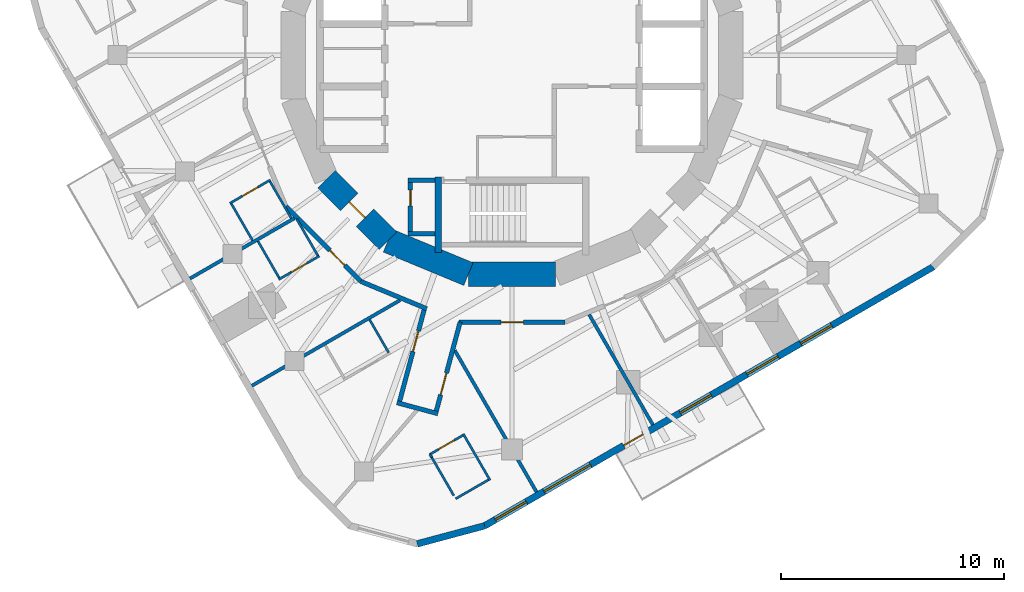
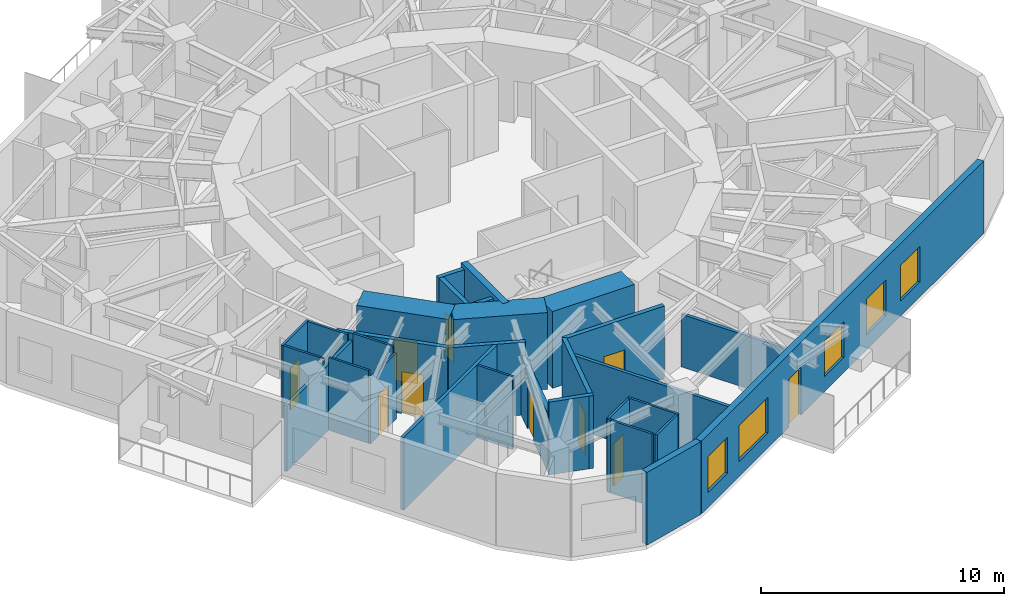
# One storey, part 4 of 11: 31 walls, 10 doors, 5 windows, 15 openings.
"""IFC4 building model written with IfcOpenShell, lengths in metres."""

from ifc_helpers import new_model, si_unit, direction, frame, frame_2d, origin, place, context, subcontext, project, spatial, rectangle, extrude, material, layer, layer_set, type_object, element, fill, save


model = new_model("IFC4")

# Units and contexts
model_context = context("Model", 3, precision=1e-05, world=origin(), true_north=direction((0.0, 1.0)))
body_context = subcontext(model_context, "Body", "Model", "MODEL_VIEW")
ifc_project = project(units=[si_unit("LENGTHUNIT", "METRE"), si_unit("AREAUNIT", "SQUARE_METRE"), si_unit("VOLUMEUNIT", "CUBIC_METRE"), si_unit("PLANEANGLEUNIT", "RADIAN"), si_unit("MASSUNIT", "GRAM", prefix="KILO")], contexts=[model_context])

# Site, building, storey
site_placement = place(None, origin())
site = spatial("IfcSite", under=ifc_project, at=site_placement, CompositionType="ELEMENT")
building_placement = place(site_placement, origin())
building = spatial("IfcBuilding", under=site, at=building_placement, Name="Nakasero Lantern House", CompositionType="ELEMENT")
storey_placement = place(building_placement, frame((0.0, 0.0, 234.64990234375)))
storey = spatial("IfcBuildingStorey", under=building, at=storey_placement, Name="L57", CompositionType="ELEMENT", Elevation=234.64990234375)

# Wall
ifc_material_1 = material(Name="Concrete C50/60", Category="concrete")
ifc_layer_1 = layer(ifc_material_1, 0.300048828125)
ifc_layer_set_1 = layer_set([ifc_layer_1], Name="Core inner wall 300")
wall_type_1 = type_object("IfcWallType", Name="Core inner wall 300", PredefinedType="SHEAR", material=ifc_layer_set_1)
wall_1_placement = place(storey_placement, frame((-3.300048828125, -5.449951171875, 0.0), z_axis=(0.0, 0.0, 1.0), x_axis=(0.0, -1.0, 0.0)))
element("IfcWall", 1, at=wall_1_placement, inside=storey, type_object=wall_type_1, Name="Core inner wall L57 SSW", PredefinedType="SHEAR", context=body_context, shape_type="SweptSolid", body=[
    extrude(rectangle(XDim=3.400146484375, YDim=0.300048828125, at=frame_2d((1.7001953125, 0.0))), origin(), (0.0, 0.0, 1.0), 3.85009765625),
])

# Wall, opening, door
ifc_material_2 = material(Name="Concrete C50/60", Category="concrete")
ifc_layer_2 = layer(ifc_material_2, 1.10009765625)
ifc_layer_set_2 = layer_set([ifc_layer_2], Name="Core wall 1100")
wall_type_2 = type_object("IfcWallType", Name="Core wall 1100", PredefinedType="SHEAR", material=ifc_layer_set_2)
wall_2_placement = place(storey_placement, frame((-8.314697265625, -5.5556640625, 0.0), z_axis=(0.0, 0.0, 1.0), x_axis=(0.707106781187, -0.707106781187, 0.0)))
wall_2 = element("IfcWall", 2, at=wall_2_placement, inside=storey, type_object=wall_type_2, Name="Core wall L57 facet 10", PredefinedType="SHEAR", context=body_context, shape_type="SweptSolid", body=[
    extrude(rectangle(XDim=3.90185546875, YDim=1.10009765625, at=frame_2d((1.950927734375, 0.0))), origin(), (0.0, 0.0, 1.0), 3.85009765625),
])
opening_1_placement = place(wall_2_placement, frame((1.450927734375, 0.0, 0.0)))
opening_1 = element("IfcOpeningElement", 3, at=opening_1_placement, cuts=wall_2, Name="Opening D05", PredefinedType="OPENING", context=body_context, shape_type="SweptSolid", body=[
    extrude(rectangle(XDim=1.0, YDim=2.10009765625, at=frame_2d((0.5, 1.050048828125))), frame((0.0, 0.570068359375, 0.0), z_axis=(0.0, -1.0, 0.0), x_axis=(1.0, 0.0, 0.0)), (0.0, 0.0, 1.0), 1.14013671875),
])
ifc_material_3 = material(Name="Timber C24", Category="wood")
door_type_1 = type_object("IfcDoorType", Name="Core door FD60S 1000", OperationType="SINGLE_SWING_LEFT", PredefinedType="DOOR", material=ifc_material_3)
door_1_placement = place(opening_1_placement, origin())
door_1 = element("IfcDoor", 4, at=door_1_placement, inside=storey, type_object=door_type_1, Name="Door L57 D-CORE10", OperationType="SINGLE_SWING_LEFT", OverallHeight=2.10009765625, OverallWidth=1.0, PredefinedType="DOOR", context=body_context, shape_type="SweptSolid", body=[
    extrude(rectangle(XDim=1.0, YDim=2.10009765625, at=frame_2d((0.5, 1.050048828125))), frame((0.0, 0.02490234375, 0.0), z_axis=(0.0, -1.0, 0.0), x_axis=(1.0, 0.0, 0.0)), (0.0, 0.0, 1.0), 0.050048828125),
])
fill(opening_1, door_1)

# Walls
for number, where, z_axis, x_axis, name in (
    (5, (-5.5556640625, -8.314697265625, 0.0), (0.0, 0.0, 1.0), (0.923876507187, -0.382690736062, 0.0), "Core wall L57 facet 11"),
    (6, (-1.950927734375, -9.807861328125, 0.0), (0.0, 0.0, 1.0), (1.0, 0.0, 0.0), "Core wall L57 facet 12"),
):
    element("IfcWall", number, at=place(storey_placement, frame(where, z_axis=z_axis, x_axis=x_axis)), inside=storey, type_object=wall_type_2, Name=name, PredefinedType="SHEAR", context=body_context, shape_type="SweptSolid", body=[
        extrude(rectangle(XDim=3.90185546875, YDim=1.10009765625, at=frame_2d((1.950927734375, 0.0))), origin(), (0.0, 0.0, 1.0), 3.85009765625),
    ])

# Wall, opening, door
ifc_material_4 = material(Name="Blockwork", Category="masonry")
ifc_layer_3 = layer(ifc_material_4, 0.199951171875)
ifc_layer_set_3 = layer_set([ifc_layer_3], Name="Corridor wall 200")
wall_type_3 = type_object("IfcWallType", Name="Corridor wall 200", PredefinedType="PARTITIONING", material=ifc_layer_set_3)
wall_3_placement = place(storey_placement, frame((2.378662109375, -11.957763671875, 0.0), z_axis=(0.0, 0.0, 1.0), x_axis=(-1.0, 0.0, 0.0)))
wall_3 = element("IfcWall", 7, at=wall_3_placement, inside=storey, type_object=wall_type_3, Name="Corridor wall L57 RC04a", PredefinedType="PARTITIONING", context=body_context, shape_type="SweptSolid", body=[
    extrude(rectangle(XDim=4.75732421875, YDim=0.199951171875, at=frame_2d((2.378662109375, 0.0))), origin(), (0.0, 0.0, 1.0), 3.650146484375),
])
opening_2_placement = place(wall_3_placement, frame((1.8701171875, 0.0, 0.0)))
opening_2 = element("IfcOpeningElement", 8, at=opening_2_placement, cuts=wall_3, Name="Opening D03", PredefinedType="OPENING", context=body_context, shape_type="SweptSolid", body=[
    extrude(rectangle(XDim=1.0, YDim=2.10009765625, at=frame_2d((0.5, 1.050048828125))), frame((0.0, 0.119873046875, 0.0), z_axis=(0.0, -1.0, 0.0), x_axis=(1.0, 0.0, 0.0)), (0.0, 0.0, 1.0), 0.239990234375),
])
ifc_material_5 = material(Name="Timber C24", Category="wood")
door_type_2 = type_object("IfcDoorType", Name="Lounge door FD30S 1000", OperationType="SINGLE_SWING_LEFT", PredefinedType="DOOR", material=ifc_material_5)
door_2_placement = place(opening_2_placement, origin())
door_2 = element("IfcDoor", 9, at=door_2_placement, inside=storey, type_object=door_type_2, Name="Door L57 DK3", OperationType="SINGLE_SWING_LEFT", OverallHeight=2.10009765625, OverallWidth=1.0, PredefinedType="DOOR", context=body_context, shape_type="SweptSolid", body=[
    extrude(rectangle(XDim=1.0, YDim=2.10009765625, at=frame_2d((0.5, 1.050048828125))), frame((0.0, 0.02490234375, 0.0), z_axis=(0.0, -1.0, 0.0), x_axis=(1.0, 0.0, 0.0)), (0.0, 0.0, 1.0), 0.050048828125),
])
fill(opening_2, door_2)

# Wall
wall_4_placement = place(storey_placement, frame((-3.820556640625, -11.360595703125, 0.0), z_axis=(0.0, 0.0, 1.0), x_axis=(-0.923888369431, 0.382662097458, 0.0)))
element("IfcWall", 10, at=wall_4_placement, inside=storey, type_object=wall_type_3, Name="Corridor wall L57 RC05b", PredefinedType="PARTITIONING", context=body_context, shape_type="SweptSolid", body=[
    extrude(rectangle(XDim=3.1962890625, YDim=0.199951171875, at=frame_2d((1.59814453125, 0.0))), origin(), (0.0, 0.0, 1.0), 3.650146484375),
])

# Wall, opening, door
wall_5_placement = place(storey_placement, frame((-6.773681640625, -10.137451171875, 0.0), z_axis=(0.0, 0.0, 1.0), x_axis=(-0.707106781187, 0.707106781187, 0.0)))
wall_5 = element("IfcWall", 11, at=wall_5_placement, inside=storey, type_object=wall_type_3, Name="Corridor wall L57 RC06a", PredefinedType="PARTITIONING", context=body_context, shape_type="SweptSolid", body=[
    extrude(rectangle(XDim=4.757080078125, YDim=0.199951171875, at=frame_2d((2.37841796875, 0.0))), origin(), (0.0, 0.0, 1.0), 3.650146484375),
])
opening_3_placement = place(wall_5_placement, frame((1.02001953125, 0.0, 0.0)))
opening_3 = element("IfcOpeningElement", 12, at=opening_3_placement, cuts=wall_5, Name="Opening D01", PredefinedType="OPENING", context=body_context, shape_type="SweptSolid", body=[
    extrude(rectangle(XDim=0.949951171875, YDim=2.10009765625, at=frame_2d((0.47509765625, 1.050048828125))), frame((0.0, 0.119873046875, 0.0), z_axis=(0.0, -1.0, 0.0), x_axis=(1.0, 0.0, 0.0)), (0.0, 0.0, 1.0), 0.239990234375),
])
ifc_material_6 = material(Name="Timber C24", Category="wood")
door_type_3 = type_object("IfcDoorType", Name="Bedroom door FD30S 950", OperationType="SINGLE_SWING_LEFT", PredefinedType="DOOR", material=ifc_material_6)
door_3_placement = place(opening_3_placement, origin())
door_3 = element("IfcDoor", 13, at=door_3_placement, inside=storey, type_object=door_type_3, Name="Door L57 D2-04", OperationType="SINGLE_SWING_LEFT", OverallHeight=2.10009765625, OverallWidth=0.949951171875, PredefinedType="DOOR", context=body_context, shape_type="SweptSolid", body=[
    extrude(rectangle(XDim=0.949951171875, YDim=2.10009765625, at=frame_2d((0.47509765625, 1.050048828125))), frame((0.0, 0.02490234375, 0.0), z_axis=(0.0, -1.0, 0.0), x_axis=(1.0, 0.0, 0.0)), (0.0, 0.0, 1.0), 0.050048828125),
])
fill(opening_3, door_3)

wall_6_placement = place(storey_placement, frame((-3.913818359375, -11.322021484375, 0.0), z_axis=(0.0, 0.0, 1.0), x_axis=(-0.258777439659, -0.965936973474, 0.0)))
wall_6 = element("IfcWall", 14, at=wall_6_placement, inside=storey, type_object=wall_type_3, Name="Corridor wall L57 SP2a", PredefinedType="PARTITIONING", context=body_context, shape_type="SweptSolid", body=[
    extrude(rectangle(XDim=4.524658203125, YDim=0.199951171875, at=frame_2d((2.26220703125, 0.0))), origin(), (0.0, 0.0, 1.0), 2.957275390625),
])
opening_4_placement = place(wall_6_placement, frame((1.070068359375, 0.0, 0.0)))
opening_4 = element("IfcOpeningElement", 15, at=opening_4_placement, cuts=wall_6, Name="Opening D01", PredefinedType="OPENING", context=body_context, shape_type="SweptSolid", body=[
    extrude(rectangle(XDim=0.949951171875, YDim=2.10009765625, at=frame_2d((0.47509765625, 1.050048828125))), frame((0.0, 0.119873046875, 0.0), z_axis=(0.0, -1.0, 0.0), x_axis=(1.0, 0.0, 0.0)), (0.0, 0.0, 1.0), 0.239990234375),
])
door_4_placement = place(opening_4_placement, origin())
door_4 = element("IfcDoor", 16, at=door_4_placement, inside=storey, type_object=door_type_3, Name="Door L57 D2-06", OperationType="SINGLE_SWING_LEFT", OverallHeight=2.10009765625, OverallWidth=0.949951171875, PredefinedType="DOOR", context=body_context, shape_type="SweptSolid", body=[
    extrude(rectangle(XDim=0.949951171875, YDim=2.10009765625, at=frame_2d((0.47509765625, 1.050048828125))), frame((0.0, 0.02490234375, 0.0), z_axis=(0.0, -1.0, 0.0), x_axis=(1.0, 0.0, 0.0)), (0.0, 0.0, 1.0), 0.050048828125),
])
fill(opening_4, door_4)

wall_7_placement = place(storey_placement, frame((-2.32421875, -11.957763671875, 0.0), z_axis=(0.0, 0.0, 1.0), x_axis=(-0.258769967576, -0.965938975236, 0.0)))
wall_7 = element("IfcWall", 17, at=wall_7_placement, inside=storey, type_object=wall_type_3, Name="Corridor wall L57 SP2b", PredefinedType="PARTITIONING", context=body_context, shape_type="SweptSolid", body=[
    extrude(rectangle(XDim=4.322021484375, YDim=0.199951171875, at=frame_2d((2.1611328125, 0.0))), origin(), (0.0, 0.0, 1.0), 3.650146484375),
])
opening_5_placement = place(wall_7_placement, frame((2.3701171875, 0.0, 0.0)))
opening_5 = element("IfcOpeningElement", 18, at=opening_5_placement, cuts=wall_7, Name="Opening D07", PredefinedType="OPENING", context=body_context, shape_type="SweptSolid", body=[
    extrude(rectangle(XDim=1.0, YDim=2.10009765625, at=frame_2d((0.5, 1.050048828125))), frame((0.0, 0.119873046875, 0.0), z_axis=(0.0, -1.0, 0.0), x_axis=(1.0, 0.0, 0.0)), (0.0, 0.0, 1.0), 0.239990234375),
])
ifc_material_7 = material(Name="Timber C24", Category="wood")
door_type_4 = type_object("IfcDoorType", Name="Room door FD30S 1000", OperationType="SINGLE_SWING_LEFT", PredefinedType="DOOR", material=ifc_material_7)
door_5_placement = place(opening_5_placement, origin())
door_5 = element("IfcDoor", 19, at=door_5_placement, inside=storey, type_object=door_type_4, Name="Door L57 D3-00", OperationType="SINGLE_SWING_RIGHT", OverallHeight=2.10009765625, OverallWidth=1.0, PredefinedType="DOOR", context=body_context, shape_type="SweptSolid", body=[
    extrude(rectangle(XDim=1.0, YDim=2.10009765625, at=frame_2d((0.5, 1.050048828125))), frame((0.0, 0.02490234375, 0.0), z_axis=(0.0, -1.0, 0.0), x_axis=(1.0, 0.0, 0.0)), (0.0, 0.0, 1.0), 0.050048828125),
])
fill(opening_5, door_5)

# Wall
wall_8_placement = place(storey_placement, frame((-5.155517578125, -15.570068359375, 0.0), z_axis=(0.0, 0.0, 1.0), x_axis=(0.96593141835, -0.258798174346, 0.0)))
element("IfcWall", 20, at=wall_8_placement, inside=storey, type_object=wall_type_3, Name="Corridor wall L57 SP2e", PredefinedType="PARTITIONING", context=body_context, shape_type="SweptSolid", body=[
    extrude(rectangle(XDim=1.89990234375, YDim=0.199951171875, at=frame_2d((0.949951171875, 0.0))), origin(), (0.0, 0.0, 1.0), 3.650146484375),
])

# Wall, opening, door
ifc_material_8 = material(Name="Blockwork", Category="masonry")
ifc_layer_4 = layer(ifc_material_8, 0.10009765625)
ifc_layer_set_4 = layer_set([ifc_layer_4], Name="En-suite wall 100")
wall_type_4 = type_object("IfcWallType", Name="En-suite wall 100", PredefinedType="PARTITIONING", material=ifc_layer_set_4)
wall_9_placement = place(storey_placement, frame((-10.82470703125, -5.586669921875, 0.0), z_axis=(0.0, 0.0, 1.0), x_axis=(-0.866009402589, -0.500027713859, 0.0)))
wall_9 = element("IfcWall", 21, at=wall_9_placement, inside=storey, type_object=wall_type_4, Name="En-suite wall L57 ES2-03", PredefinedType="PARTITIONING", context=body_context, shape_type="SweptSolid", body=[
    extrude(rectangle(XDim=2.10009765625, YDim=0.10009765625, at=frame_2d((1.050048828125, 0.0))), origin(), (0.0, 0.0, 1.0), 3.650146484375),
])
opening_6_placement = place(wall_9_placement, frame((0.64990234375, 0.0, 0.0)))
opening_6 = element("IfcOpeningElement", 22, at=opening_6_placement, cuts=wall_9, Name="Opening D02", PredefinedType="OPENING", context=body_context, shape_type="SweptSolid", body=[
    extrude(rectangle(XDim=0.800048828125, YDim=2.10009765625, at=frame_2d((0.39990234375, 1.050048828125))), frame((0.0, 0.070068359375, 0.0), z_axis=(0.0, -1.0, 0.0), x_axis=(1.0, 0.0, 0.0)), (0.0, 0.0, 1.0), 0.14013671875),
])
ifc_material_9 = material(Name="Timber C24", Category="wood")
door_type_5 = type_object("IfcDoorType", Name="En-suite door 800", OperationType="SINGLE_SWING_RIGHT", PredefinedType="DOOR", material=ifc_material_9)
door_6_placement = place(opening_6_placement, origin())
door_6 = element("IfcDoor", 23, at=door_6_placement, inside=storey, type_object=door_type_5, Name="Door L57 DE2-03", OperationType="SINGLE_SWING_RIGHT", OverallHeight=2.10009765625, OverallWidth=0.800048828125, PredefinedType="DOOR", context=body_context, shape_type="SweptSolid", body=[
    extrude(rectangle(XDim=0.800048828125, YDim=2.10009765625, at=frame_2d((0.39990234375, 1.050048828125))), frame((0.0, 0.02490234375, 0.0), z_axis=(0.0, -1.0, 0.0), x_axis=(1.0, 0.0, 0.0)), (0.0, 0.0, 1.0), 0.050048828125),
])
fill(opening_6, door_6)

# Walls
for number, where, z_axis, x_axis, name in (
    (24, (-12.574951171875, -6.655029296875, 0.0), (0.0, 0.0, 1.0), (0.499967155389, -0.866044365799, 0.0), "En-suite wall L57 EE2-03"),
    (25, (-10.843017578125, -5.655029296875, 0.0), (0.0, 0.0, 1.0), (0.499967155389, -0.866044365799, 0.0), "En-suite wall L57 EI2-03"),
):
    element("IfcWall", number, at=place(storey_placement, frame(where, z_axis=z_axis, x_axis=x_axis)), inside=storey, type_object=wall_type_4, Name=name, PredefinedType="PARTITIONING", context=body_context, shape_type="SweptSolid", body=[
        extrude(rectangle(XDim=1.900146484375, YDim=0.10009765625, at=frame_2d((0.9501953125, 0.0))), origin(), (0.0, 0.0, 1.0), 3.650146484375),
    ])

# Wall, opening, door
wall_10_placement = place(storey_placement, frame((-8.632080078125, -8.997314453125, 0.0), z_axis=(0.0, 0.0, 1.0), x_axis=(-0.866038466041, -0.499977374825, 0.0)))
wall_10 = element("IfcWall", 26, at=wall_10_placement, inside=storey, type_object=wall_type_4, Name="En-suite wall L57 ES2-04", PredefinedType="PARTITIONING", context=body_context, shape_type="SweptSolid", body=[
    extrude(rectangle(XDim=2.10009765625, YDim=0.10009765625, at=frame_2d((1.050048828125, 0.0))), origin(), (0.0, 0.0, 1.0), 3.295166015625),
])
opening_7_placement = place(wall_10_placement, frame((0.64990234375, 0.0, 0.0)))
opening_7 = element("IfcOpeningElement", 27, at=opening_7_placement, cuts=wall_10, Name="Opening D02", PredefinedType="OPENING", context=body_context, shape_type="SweptSolid", body=[
    extrude(rectangle(XDim=0.800048828125, YDim=2.10009765625, at=frame_2d((0.39990234375, 1.050048828125))), frame((0.0, 0.070068359375, 0.0), z_axis=(0.0, -1.0, 0.0), x_axis=(1.0, 0.0, 0.0)), (0.0, 0.0, 1.0), 0.14013671875),
])
door_7_placement = place(opening_7_placement, origin())
door_7 = element("IfcDoor", 28, at=door_7_placement, inside=storey, type_object=door_type_5, Name="Door L57 DE2-04", OperationType="SINGLE_SWING_RIGHT", OverallHeight=2.10009765625, OverallWidth=0.800048828125, PredefinedType="DOOR", context=body_context, shape_type="SweptSolid", body=[
    extrude(rectangle(XDim=0.800048828125, YDim=2.10009765625, at=frame_2d((0.39990234375, 1.050048828125))), frame((0.0, 0.02490234375, 0.0), z_axis=(0.0, -1.0, 0.0), x_axis=(1.0, 0.0, 0.0)), (0.0, 0.0, 1.0), 0.050048828125),
])
fill(opening_7, door_7)

# Walls
for number, where, z_axis, x_axis, name in (
    (29, (-11.382568359375, -8.333740234375, 0.0), (0.0, 0.0, 1.0), (0.500022797313, -0.86601224135, 0.0), "En-suite wall L57 EE2-04"),
    (30, (-9.650390625, -7.333740234375, 0.0), (0.0, 0.0, 1.0), (0.500022797313, -0.86601224135, 0.0), "En-suite wall L57 EI2-04"),
):
    element("IfcWall", number, at=place(storey_placement, frame(where, z_axis=z_axis, x_axis=x_axis)), inside=storey, type_object=wall_type_4, Name=name, PredefinedType="PARTITIONING", context=body_context, shape_type="SweptSolid", body=[
        extrude(rectangle(XDim=1.89990234375, YDim=0.10009765625, at=frame_2d((0.949951171875, 0.0))), origin(), (0.0, 0.0, 1.0), 3.650146484375),
    ])
wall_11_placement = place(storey_placement, frame((-6.37890625, -11.8515625, 0.0), z_axis=(0.0, 0.0, 1.0), x_axis=(0.500062241894, -0.865989465428, 0.0)))
element("IfcWall", 31, at=wall_11_placement, inside=storey, type_object=wall_type_4, Name="En-suite wall L57 EI2-06", PredefinedType="PARTITIONING", context=body_context, shape_type="SweptSolid", body=[
    extrude(rectangle(XDim=1.699951171875, YDim=0.10009765625, at=frame_2d((0.85009765625, 0.0))), origin(), (0.0, 0.0, 1.0), 3.650146484375),
])
wall_12_placement = place(storey_placement, frame((-2.18505859375, -16.96533203125, 0.0), z_axis=(0.0, 0.0, 1.0), x_axis=(0.499957262057, -0.866050077142, 0.0)))
element("IfcWall", 32, at=wall_12_placement, inside=storey, type_object=wall_type_4, Name="En-suite wall L57 ES3-00", PredefinedType="PARTITIONING", context=body_context, shape_type="SweptSolid", body=[
    extrude(rectangle(XDim=2.400146484375, YDim=0.10009765625, at=frame_2d((1.2001953125, 0.0))), origin(), (0.0, 0.0, 1.0), 3.650146484375),
])
wall_13_placement = place(storey_placement, frame((-2.525634765625, -19.87548828125, 0.0), z_axis=(0.0, 0.0, 1.0), x_axis=(0.866087547558, 0.499892348375, 0.0)))
element("IfcWall", 33, at=wall_13_placement, inside=storey, type_object=wall_type_4, Name="En-suite wall L57 EE3-00", PredefinedType="PARTITIONING", context=body_context, shape_type="SweptSolid", body=[
    extrude(rectangle(XDim=1.699951171875, YDim=0.10009765625, at=frame_2d((0.85009765625, 0.0))), origin(), (0.0, 0.0, 1.0), 3.650146484375),
])

# Wall, opening, door
wall_14_placement = place(storey_placement, frame((-3.675537109375, -17.8837890625, 0.0), z_axis=(0.0, 0.0, 1.0), x_axis=(0.865989465428, 0.500062241894, 0.0)))
wall_14 = element("IfcWall", 34, at=wall_14_placement, inside=storey, type_object=wall_type_4, Name="En-suite wall L57 EI3-00", PredefinedType="PARTITIONING", context=body_context, shape_type="SweptSolid", body=[
    extrude(rectangle(XDim=1.699951171875, YDim=0.10009765625, at=frame_2d((0.85009765625, 0.0))), origin(), (0.0, 0.0, 1.0), 3.650146484375),
])
opening_8_placement = place(wall_14_placement, frame((0.449951171875, 0.0, 0.0)))
opening_8 = element("IfcOpeningElement", 35, at=opening_8_placement, cuts=wall_14, Name="Opening D15", PredefinedType="OPENING", context=body_context, shape_type="SweptSolid", body=[
    extrude(rectangle(XDim=0.800048828125, YDim=2.10009765625, at=frame_2d((0.39990234375, 1.050048828125))), frame((0.0, 0.070068359375, 0.0), z_axis=(0.0, -1.0, 0.0), x_axis=(1.0, 0.0, 0.0)), (0.0, 0.0, 1.0), 0.14013671875),
])
ifc_material_10 = material(Name="Timber C24", Category="wood")
door_type_6 = type_object("IfcDoorType", Name="Cleaner's store door FD30S 800", OperationType="SINGLE_SWING_LEFT", PredefinedType="DOOR", material=ifc_material_10)
door_8_placement = place(opening_8_placement, origin())
door_8 = element("IfcDoor", 36, at=door_8_placement, inside=storey, type_object=door_type_6, Name="Door L57 DE3-00", OperationType="SINGLE_SWING_RIGHT", OverallHeight=2.10009765625, OverallWidth=0.800048828125, PredefinedType="DOOR", context=body_context, shape_type="SweptSolid", body=[
    extrude(rectangle(XDim=0.800048828125, YDim=2.10009765625, at=frame_2d((0.39990234375, 1.050048828125))), frame((0.0, 0.02490234375, 0.0), z_axis=(0.0, -1.0, 0.0), x_axis=(1.0, 0.0, 0.0)), (0.0, 0.0, 1.0), 0.050048828125),
])
fill(opening_8, door_8)

# Walls
wall_15_placement = place(storey_placement, frame((-3.595458984375, -18.022216796875, 0.0), z_axis=(0.0, 0.0, 1.0), x_axis=(0.499971491109, -0.866041862775, 0.0)))
element("IfcWall", 37, at=wall_15_placement, inside=storey, type_object=wall_type_4, Name="En-suite wall L57 EX003", PredefinedType="PARTITIONING", context=body_context, shape_type="SweptSolid", body=[
    extrude(rectangle(XDim=1.97998046875, YDim=0.10009765625, at=frame_2d((0.989990234375, 0.0))), origin(), (0.0, 0.0, 1.0), 3.650146484375),
])
wall_16_placement = place(storey_placement, frame((-3.675537109375, -17.8837890625, 0.0), z_axis=(0.0, 0.0, 1.0), x_axis=(0.500735348028, -0.865600433939, 0.0)))
element("IfcWall", 38, at=wall_16_placement, inside=storey, type_object=wall_type_4, Name="En-suite wall L57 EI3-00R0", PredefinedType="PARTITIONING", context=body_context, shape_type="SweptSolid", body=[
    extrude(rectangle(XDim=0.159912109375, YDim=0.10009765625, at=frame_2d((0.080078125, 0.0))), origin(), (0.0, 0.0, 1.0), 3.650146484375),
])
ifc_material_11 = material(Name="Aluminium rainscreen on blockwork", Category="masonry")
ifc_layer_5 = layer(ifc_material_11, 0.300048828125)
ifc_layer_set_5 = layer_set([ifc_layer_5], Name="Facade wall 300")
wall_type_5 = type_object("IfcWallType", Name="Facade wall 300", PredefinedType="SOLIDWALL", material=ifc_layer_set_5)
wall_17_placement = place(storey_placement, frame((-4.245849609375, -21.89599609375, 0.0), z_axis=(0.0, 0.0, 1.0), x_axis=(0.96592369199, 0.258827010283, 0.0)))
element("IfcWall", 39, at=wall_17_placement, inside=storey, type_object=wall_type_5, Name="Facade wall L57 FW2C3", PredefinedType="SOLIDWALL", context=body_context, shape_type="SweptSolid", body=[
    extrude(rectangle(XDim=3.131591796875, YDim=0.300048828125, at=frame_2d((1.56591796875, 0.0))), origin(), (0.0, 0.0, 1.0), 3.650146484375),
])

# Wall, openings, door, windows
wall_18_placement = place(storey_placement, frame((-1.220947265625, -21.08544921875, 0.0), z_axis=(0.0, 0.0, 1.0), x_axis=(0.86602366199, 0.500003016864, 0.0)))
wall_18 = element("IfcWall", 40, at=wall_18_placement, inside=storey, type_object=wall_type_5, Name="Facade wall L57 FW3S", PredefinedType="SOLIDWALL", context=body_context, shape_type="SweptSolid", body=[
    extrude(rectangle(XDim=23.199951171875, YDim=0.300048828125, at=frame_2d((11.60009765625, 0.0))), origin(), (0.0, 0.0, 1.0), 3.650146484375),
])
opening_9_placement = place(wall_18_placement, frame((0.5458984375, 0.0, 0.75)))
opening_9 = element("IfcOpeningElement", 41, at=opening_9_placement, cuts=wall_18, Name="Opening W01", PredefinedType="OPENING", context=body_context, shape_type="SweptSolid", body=[
    extrude(rectangle(XDim=1.60009765625, YDim=1.800048828125, at=frame_2d((0.800048828125, 0.89990234375))), frame((0.0, 0.169921875, 0.0), z_axis=(0.0, -1.0, 0.0), x_axis=(1.0, 0.0, 0.0)), (0.0, 0.0, 1.0), 0.340087890625),
])
opening_10_placement = place(wall_18_placement, frame((10.11767578125, 0.0, 0.75)))
opening_10 = element("IfcOpeningElement", 42, at=opening_10_placement, cuts=wall_18, Name="Opening W01", PredefinedType="OPENING", context=body_context, shape_type="SweptSolid", body=[
    extrude(rectangle(XDim=1.60009765625, YDim=1.800048828125, at=frame_2d((0.800048828125, 0.89990234375))), frame((0.0, 0.169921875, 0.0), z_axis=(0.0, -1.0, 0.0), x_axis=(1.0, 0.0, 0.0)), (0.0, 0.0, 1.0), 0.340087890625),
])
opening_11_placement = place(wall_18_placement, frame((13.5751953125, 0.0, 0.75)))
opening_11 = element("IfcOpeningElement", 43, at=opening_11_placement, cuts=wall_18, Name="Opening W01", PredefinedType="OPENING", context=body_context, shape_type="SweptSolid", body=[
    extrude(rectangle(XDim=1.60009765625, YDim=1.800048828125, at=frame_2d((0.800048828125, 0.89990234375))), frame((0.0, 0.169921875, 0.0), z_axis=(0.0, -1.0, 0.0), x_axis=(1.0, 0.0, 0.0)), (0.0, 0.0, 1.0), 0.340087890625),
])
opening_12_placement = place(wall_18_placement, frame((16.349609375, 0.0, 0.75)))
opening_12 = element("IfcOpeningElement", 44, at=opening_12_placement, cuts=wall_18, Name="Opening W01", PredefinedType="OPENING", context=body_context, shape_type="SweptSolid", body=[
    extrude(rectangle(XDim=1.60009765625, YDim=1.800048828125, at=frame_2d((0.800048828125, 0.89990234375))), frame((0.0, 0.169921875, 0.0), z_axis=(0.0, -1.0, 0.0), x_axis=(1.0, 0.0, 0.0)), (0.0, 0.0, 1.0), 0.340087890625),
])
opening_13_placement = place(wall_18_placement, frame((3.071044921875, 0.0, 0.75)))
opening_13 = element("IfcOpeningElement", 45, at=opening_13_placement, cuts=wall_18, Name="Opening W03", PredefinedType="OPENING", context=body_context, shape_type="SweptSolid", body=[
    extrude(rectangle(XDim=2.39990234375, YDim=1.800048828125, at=frame_2d((1.199951171875, 0.89990234375))), frame((0.0, 0.169921875, 0.0), z_axis=(0.0, -1.0, 0.0), x_axis=(1.0, 0.0, 0.0)), (0.0, 0.0, 1.0), 0.340087890625),
])
opening_14_placement = place(wall_18_placement, frame((7.1904296875, 0.0, 0.0)))
opening_14 = element("IfcOpeningElement", 46, at=opening_14_placement, cuts=wall_18, Name="Opening D04", PredefinedType="OPENING", context=body_context, shape_type="SweptSolid", body=[
    extrude(rectangle(XDim=1.0, YDim=2.39990234375, at=frame_2d((0.5, 1.199951171875))), frame((0.0, 0.169921875, 0.0), z_axis=(0.0, -1.0, 0.0), x_axis=(1.0, 0.0, 0.0)), (0.0, 0.0, 1.0), 0.340087890625),
])
ifc_material_12 = material(Name="Aluminium 6063-T6 and glass", Category="aluminium")
door_type_7 = type_object("IfcDoorType", Name="Balcony door 1000x2400", OperationType="SINGLE_SWING_RIGHT", PredefinedType="DOOR", material=ifc_material_12)
door_9_placement = place(opening_14_placement, origin())
door_9 = element("IfcDoor", 47, at=door_9_placement, inside=storey, type_object=door_type_7, Name="Balcony door L57 DB3", OperationType="SINGLE_SWING_RIGHT", OverallHeight=2.39990234375, OverallWidth=1.0, PredefinedType="DOOR", context=body_context, shape_type="SweptSolid", body=[
    extrude(rectangle(XDim=1.0, YDim=2.39990234375, at=frame_2d((0.5, 1.199951171875))), frame((0.0, 0.02490234375, 0.0), z_axis=(0.0, -1.0, 0.0), x_axis=(1.0, 0.0, 0.0)), (0.0, 0.0, 1.0), 0.050048828125),
])
fill(opening_14, door_9)
ifc_material_13 = material(Name="Aluminium 6063-T6 and glass", Category="aluminium")
window_type_1 = type_object("IfcWindowType", Name="Bedroom window 1600x1800", PartitioningType="SINGLE_PANEL", PredefinedType="WINDOW", material=ifc_material_13)
window_1_placement = place(opening_9_placement, origin())
window_1 = element("IfcWindow", 48, at=window_1_placement, inside=storey, type_object=window_type_1, Name="Window L57 WN3-00", OverallHeight=1.800048828125, OverallWidth=1.60009765625, PartitioningType="SINGLE_PANEL", PredefinedType="WINDOW", context=body_context, shape_type="SweptSolid", body=[
    extrude(rectangle(XDim=1.60009765625, YDim=1.800048828125, at=frame_2d((0.800048828125, 0.89990234375))), frame((0.0, 0.030029296875, 0.0), z_axis=(0.0, -1.0, 0.0), x_axis=(1.0, 0.0, 0.0)), (0.0, 0.0, 1.0), 0.06005859375),
])
fill(opening_9, window_1)
window_2_placement = place(opening_10_placement, origin())
window_2 = element("IfcWindow", 49, at=window_2_placement, inside=storey, type_object=window_type_1, Name="Window L57 WN3-03", OverallHeight=1.800048828125, OverallWidth=1.60009765625, PartitioningType="SINGLE_PANEL", PredefinedType="WINDOW", context=body_context, shape_type="SweptSolid", body=[
    extrude(rectangle(XDim=1.60009765625, YDim=1.800048828125, at=frame_2d((0.800048828125, 0.89990234375))), frame((0.0, 0.030029296875, 0.0), z_axis=(0.0, -1.0, 0.0), x_axis=(1.0, 0.0, 0.0)), (0.0, 0.0, 1.0), 0.06005859375),
])
fill(opening_10, window_2)
window_3_placement = place(opening_11_placement, origin())
window_3 = element("IfcWindow", 50, at=window_3_placement, inside=storey, type_object=window_type_1, Name="Window L57 WN3-04", OverallHeight=1.800048828125, OverallWidth=1.60009765625, PartitioningType="SINGLE_PANEL", PredefinedType="WINDOW", context=body_context, shape_type="SweptSolid", body=[
    extrude(rectangle(XDim=1.60009765625, YDim=1.800048828125, at=frame_2d((0.800048828125, 0.89990234375))), frame((0.0, 0.030029296875, 0.0), z_axis=(0.0, -1.0, 0.0), x_axis=(1.0, 0.0, 0.0)), (0.0, 0.0, 1.0), 0.06005859375),
])
fill(opening_11, window_3)
window_4_placement = place(opening_12_placement, origin())
window_4 = element("IfcWindow", 51, at=window_4_placement, inside=storey, type_object=window_type_1, Name="Window L57 WN3-05", OverallHeight=1.800048828125, OverallWidth=1.60009765625, PartitioningType="SINGLE_PANEL", PredefinedType="WINDOW", context=body_context, shape_type="SweptSolid", body=[
    extrude(rectangle(XDim=1.60009765625, YDim=1.800048828125, at=frame_2d((0.800048828125, 0.89990234375))), frame((0.0, 0.030029296875, 0.0), z_axis=(0.0, -1.0, 0.0), x_axis=(1.0, 0.0, 0.0)), (0.0, 0.0, 1.0), 0.06005859375),
])
fill(opening_12, window_4)
ifc_material_14 = material(Name="Aluminium 6063-T6 and glass", Category="aluminium")
window_type_2 = type_object("IfcWindowType", Name="Lounge window 2400x1800", PartitioningType="SINGLE_PANEL", PredefinedType="WINDOW", material=ifc_material_14)
window_5_placement = place(opening_13_placement, origin())
window_5 = element("IfcWindow", 52, at=window_5_placement, inside=storey, type_object=window_type_2, Name="Window L57 WK3", OverallHeight=1.800048828125, OverallWidth=2.39990234375, PartitioningType="SINGLE_PANEL", PredefinedType="WINDOW", context=body_context, shape_type="SweptSolid", body=[
    extrude(rectangle(XDim=2.39990234375, YDim=1.800048828125, at=frame_2d((1.199951171875, 0.89990234375))), frame((0.0, 0.030029296875, 0.0), z_axis=(0.0, -1.0, 0.0), x_axis=(1.0, 0.0, 0.0)), (0.0, 0.0, 1.0), 0.06005859375),
])
fill(opening_13, window_5)

# Wall, opening, door
ifc_material_15 = material(Name="Blockwork", Category="masonry")
ifc_layer_6 = layer(ifc_material_15, 0.199951171875)
ifc_layer_set_6 = layer_set([ifc_layer_6], Name="Fire lobby wall 200")
wall_type_6 = type_object("IfcWallType", Name="Fire lobby wall 200", PredefinedType="PARTITIONING", material=ifc_layer_set_6)
wall_19_placement = place(storey_placement, frame((-4.550048828125, -5.60009765625, 0.0), z_axis=(0.0, 0.0, 1.0), x_axis=(0.0, -1.0, 0.0)))
wall_19 = element("IfcWall", 53, at=wall_19_placement, inside=storey, type_object=wall_type_6, Name="Fire lobby wall L57 W-RS2W", PredefinedType="PARTITIONING", context=body_context, shape_type="SweptSolid", body=[
    extrude(rectangle(XDim=2.39990234375, YDim=0.199951171875, at=frame_2d((1.199951171875, 0.0))), origin(), (0.0, 0.0, 1.0), 3.650146484375),
])
opening_15_placement = place(wall_19_placement, frame((0.449951171875, 0.0, 0.0)))
opening_15 = element("IfcOpeningElement", 54, at=opening_15_placement, cuts=wall_19, Name="Opening D06", PredefinedType="OPENING", context=body_context, shape_type="SweptSolid", body=[
    extrude(rectangle(XDim=0.699951171875, YDim=2.10009765625, at=frame_2d((0.35009765625, 1.050048828125))), frame((0.0, 0.119873046875, 0.0), z_axis=(0.0, -1.0, 0.0), x_axis=(1.0, 0.0, 0.0)), (0.0, 0.0, 1.0), 0.239990234375),
])
ifc_material_16 = material(Name="Steel S355", Category="steel")
door_type_8 = type_object("IfcDoorType", Name="Riser door FD60 700", OperationType="SINGLE_SWING_LEFT", PredefinedType="DOOR", material=ifc_material_16)
door_10_placement = place(opening_15_placement, origin())
door_10 = element("IfcDoor", 55, at=door_10_placement, inside=storey, type_object=door_type_8, Name="Door L57 D-RS2", OperationType="SINGLE_SWING_LEFT", OverallHeight=2.10009765625, OverallWidth=0.699951171875, PredefinedType="DOOR", context=body_context, shape_type="SweptSolid", body=[
    extrude(rectangle(XDim=0.699951171875, YDim=2.10009765625, at=frame_2d((0.35009765625, 1.050048828125))), frame((0.0, 0.02490234375, 0.0), z_axis=(0.0, -1.0, 0.0), x_axis=(1.0, 0.0, 0.0)), (0.0, 0.0, 1.0), 0.050048828125),
])
fill(opening_15, door_10)

# Walls
for number, where, z_axis, x_axis, name in (
    (56, (-3.449951171875, -8.0, 0.0), (0.0, 0.0, 1.0), (-1.0, 0.0, 0.0), "Fire lobby wall L57 W-RS2S"),
    (57, (-3.449951171875, -5.60009765625, 0.0), (0.0, 0.0, 1.0), (-1.0, 0.0, 0.0), "Fire lobby wall L57 W-RS2N"),
):
    element("IfcWall", number, at=place(storey_placement, frame(where, z_axis=z_axis, x_axis=x_axis)), inside=storey, type_object=wall_type_6, Name=name, PredefinedType="PARTITIONING", context=body_context, shape_type="SweptSolid", body=[
        extrude(rectangle(XDim=1.199951171875, YDim=0.199951171875, at=frame_2d((0.60009765625, 0.0))), origin(), (0.0, 0.0, 1.0), 3.650146484375),
    ])
ifc_material_17 = material(Name="Blockwork", Category="masonry")
ifc_layer_7 = layer(ifc_material_17, 0.14990234375)
ifc_layer_set_7 = layer_set([ifc_layer_7], Name="Party wall 150")
wall_type_7 = type_object("IfcWallType", Name="Party wall 150", PredefinedType="PARTITIONING", material=ifc_layer_set_7)
wall_20_placement = place(storey_placement, frame((-9.748779296875, -7.3037109375, 0.0), z_axis=(0.0, 0.0, 1.0), x_axis=(-0.86600807666, -0.500030010259, 0.0)))
element("IfcWall", 58, at=wall_20_placement, inside=storey, type_object=wall_type_7, Name="Party wall L57 PW2-04", PredefinedType="PARTITIONING", context=body_context, shape_type="SweptSolid", body=[
    extrude(rectangle(XDim=5.405517578125, YDim=0.14990234375, at=frame_2d((2.70263671875, 0.0))), origin(), (0.0, 0.0, 1.0), 3.295166015625),
])
wall_21_placement = place(storey_placement, frame((-5.011474609375, -10.9755859375, 0.0), z_axis=(0.0, 0.0, 1.0), x_axis=(-0.866033500054, -0.499985976588, 0.0)))
element("IfcWall", 59, at=wall_21_placement, inside=storey, type_object=wall_type_7, Name="Party wall L57 PW2-06", PredefinedType="PARTITIONING", context=body_context, shape_type="SweptSolid", body=[
    extrude(rectangle(XDim=7.672119140625, YDim=0.14990234375, at=frame_2d((3.8359375, 0.0))), origin(), (0.0, 0.0, 1.0), 3.650146484375),
])
wall_22_placement = place(storey_placement, frame((-2.5615234375, -13.230224609375, 0.0), z_axis=(0.0, 0.0, 1.0), x_axis=(0.500004302036, -0.866022919989, 0.0)))
element("IfcWall", 60, at=wall_22_placement, inside=storey, type_object=wall_type_7, Name="Party wall L57 PW3-01", PredefinedType="PARTITIONING", context=body_context, shape_type="SweptSolid", body=[
    extrude(rectangle(XDim=7.3232421875, YDim=0.14990234375, at=frame_2d((3.66162109375, 0.0))), origin(), (0.0, 0.0, 1.0), 3.650146484375),
])
wall_23_placement = place(storey_placement, frame((3.457275390625, -11.619140625, 0.0), z_axis=(0.0, 0.0, 1.0), x_axis=(0.500002556202, -0.866023927955, 0.0)))
element("IfcWall", 61, at=wall_23_placement, inside=storey, type_object=wall_type_7, Name="Party wall L57 PW3-03", PredefinedType="PARTITIONING", context=body_context, shape_type="SweptSolid", body=[
    extrude(rectangle(XDim=5.708984375, YDim=0.14990234375, at=frame_2d((2.8544921875, 0.0))), origin(), (0.0, 0.0, 1.0), 2.64208984375),
])

save(model, "model.ifc")
